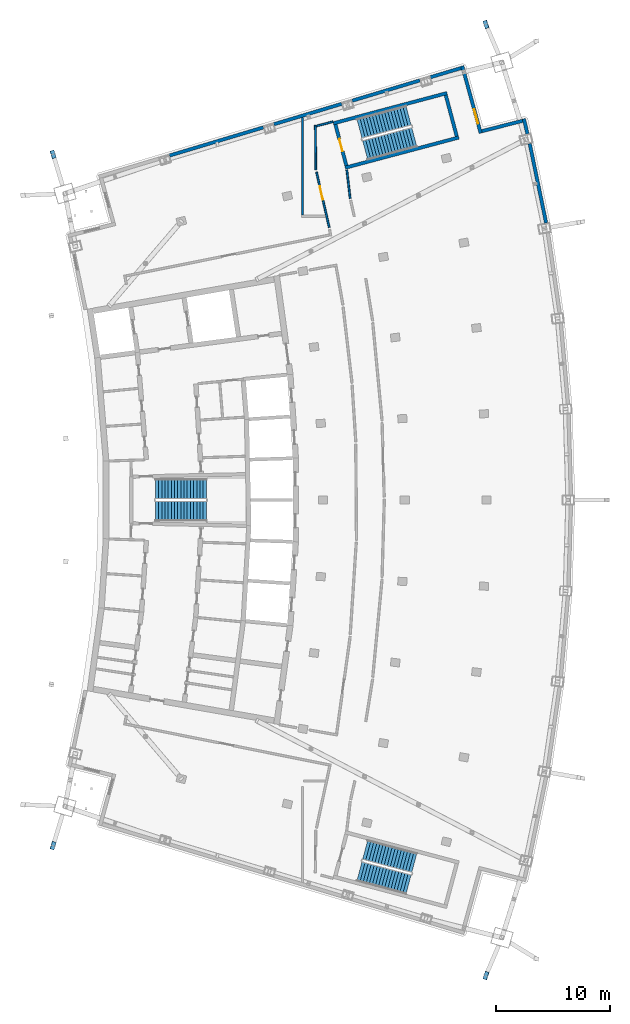
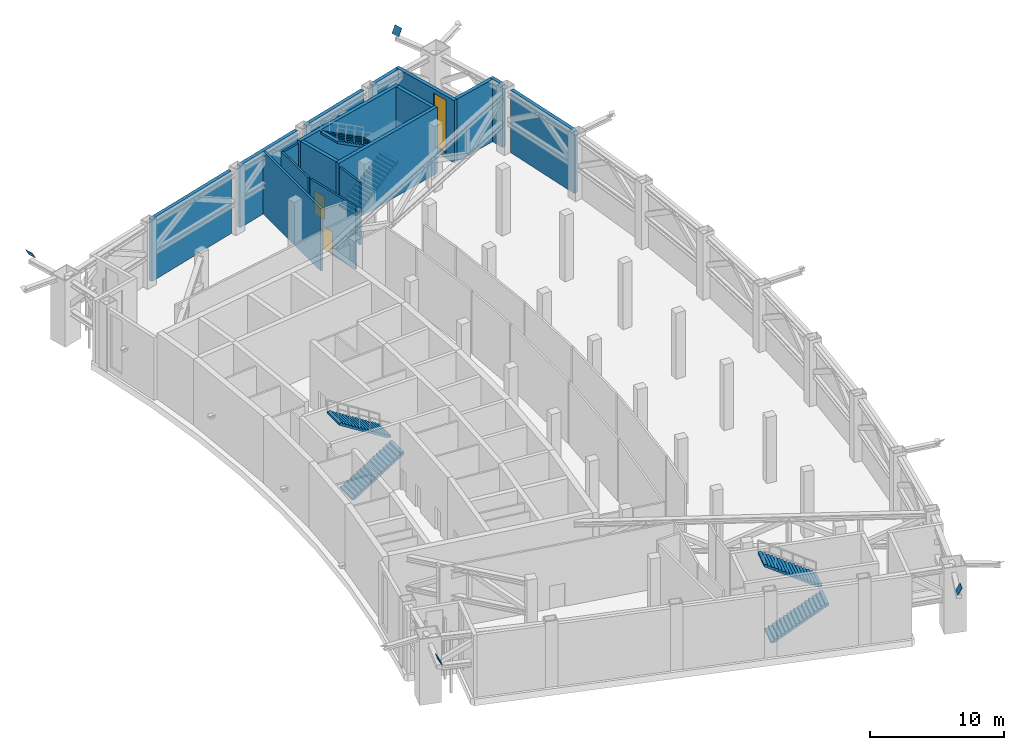
# One storey, part 17 of 23: 17 walls, 6 stair flights, 4 discrete accessories, 2 doors, 1 window, 3 openings, 3 elements without a shape of their own.
"""IFC4 building model written with IfcOpenShell, lengths in metres."""

from ifc_helpers import new_model, si_unit, direction, frame, frame_2d, origin, origin_2d, place, context, subcontext, project, spatial, polyline, rectangle, outline, extrude, material, layer, layer_set, material_profile, profile_set, type_object, element, fill, aggregate, save


model = new_model("IFC4")

# Units and contexts
model_context = context("Model", 3, precision=1e-05, world=origin(), true_north=direction((0.0, 1.0)))
body_context = subcontext(model_context, "Body", "Model", "MODEL_VIEW")
ifc_project = project(units=[si_unit("LENGTHUNIT", "METRE"), si_unit("AREAUNIT", "SQUARE_METRE"), si_unit("VOLUMEUNIT", "CUBIC_METRE"), si_unit("PLANEANGLEUNIT", "RADIAN"), si_unit("MASSUNIT", "GRAM", prefix="KILO")], contexts=[model_context])

# Site, building, storey
site_placement = place(None, origin())
site = spatial("IfcSite", under=ifc_project, at=site_placement, CompositionType="ELEMENT")
building_placement = place(site_placement, origin())
building = spatial("IfcBuilding", under=site, at=building_placement, Name="Alderwake Tower", CompositionType="ELEMENT")
storey_placement = place(building_placement, frame((0.0, 0.0, 239.60009765625)))
storey = spatial("IfcBuildingStorey", under=building, at=storey_placement, Name="L59", CompositionType="ELEMENT", Elevation=239.60009765625)

# Walls
ifc_material_1 = material(Name="Concrete C70/85", Category="concrete")
ifc_layer_1 = layer(ifc_material_1, 0.300048828125)
ifc_layer_set_1 = layer_set([ifc_layer_1], Name="Core wall stair enclosure 300 C70-85")
wall_type_1 = type_object("IfcWallType", Name="Core wall stair enclosure 300 C70-85", PredefinedType="SHEAR", material=ifc_layer_set_1)
for number, where, z_axis, x_axis, name in (
    (1, (36.71142578125, 94.182373046875, 0.0), (0.0, 0.0, 1.0), (0.966309214305, 0.257383958996, 0.0), "Core wall CW.082"),
    (2, (37.75390625, 90.268798828125, 0.0), (0.0, 0.0, 1.0), (0.966309214305, 0.257383958996, 0.0), "Core wall CW.084"),
):
    element("IfcWall", number, at=place(storey_placement, frame(where, z_axis=z_axis, x_axis=x_axis)), inside=storey, type_object=wall_type_1, Name=name, PredefinedType="SHEAR", context=body_context, shape_type="SweptSolid", body=[
        extrude(rectangle(XDim=10.360107421875, YDim=0.300048828125, at=frame_2d((5.18017578125, 0.0))), origin(), (0.0, 0.0, 1.0), 6.0),
    ])

# Wall, opening, door
wall_1_placement = place(storey_placement, frame((37.8603515625, 90.452392578125, 0.0), z_axis=(0.0, 0.0, 1.0), x_axis=(-0.257411420208, 0.966301899381, 0.0)))
wall_1 = element("IfcWall", 3, at=wall_1_placement, inside=storey, type_object=wall_type_1, Name="Core wall CW.083", PredefinedType="SHEAR", context=body_context, shape_type="SweptSolid", body=[
    extrude(rectangle(XDim=3.750244140625, YDim=0.300048828125, at=frame_2d((1.875, 0.0))), origin(), (0.0, 0.0, 1.0), 6.0),
])
opening_1_placement = place(wall_1_placement, frame((1.324951171875, 0.0, 0.0)))
opening_1 = element("IfcOpeningElement", 4, at=opening_1_placement, cuts=wall_1, Name="Opening C062", PredefinedType="OPENING", context=body_context, shape_type="SweptSolid", body=[
    extrude(rectangle(XDim=1.10009765625, YDim=2.10009765625, at=frame_2d((0.550048828125, 1.050048828125))), frame((0.0, 0.159912109375, 0.0), z_axis=(0.0, -1.0, 0.0), x_axis=(1.0, 0.0, 0.0)), (0.0, 0.0, 1.0), 0.320068359375),
])
ifc_material_2 = material(Name="Steel-framed fire door leaf", Category="steel")
door_type_1 = type_object("IfcDoorType", Name="Core stair door 1100 fire-rated", OperationType="SINGLE_SWING_LEFT", PredefinedType="DOOR", material=ifc_material_2)
door_1_placement = place(opening_1_placement, origin())
door_1 = element("IfcDoor", 5, at=door_1_placement, inside=storey, type_object=door_type_1, Name="Stair door", OperationType="SINGLE_SWING_RIGHT", OverallHeight=2.10009765625, OverallWidth=1.10009765625, PredefinedType="DOOR", context=body_context, shape_type="SweptSolid", body=[
    extrude(rectangle(XDim=1.10009765625, YDim=2.10009765625, at=frame_2d((0.550048828125, 1.050048828125))), frame((0.0, 0.02490234375, 0.0), z_axis=(0.0, -1.0, 0.0), x_axis=(1.0, 0.0, 0.0)), (0.0, 0.0, 1.0), 0.050048828125),
])
fill(opening_1, door_1)

# Walls
wall_2_placement = place(storey_placement, frame((47.581298828125, 93.041748046875, 0.0), z_axis=(0.0, 0.0, 1.0), x_axis=(-0.257366821694, 0.966313778796, 0.0)))
element("IfcWall", 6, at=wall_2_placement, inside=storey, type_object=wall_type_1, Name="Core wall CW.081", PredefinedType="SHEAR", context=body_context, shape_type="SweptSolid", body=[
    extrude(rectangle(XDim=3.749755859375, YDim=0.300048828125, at=frame_2d((1.875, 0.0))), origin(), (0.0, 0.0, 1.0), 6.0),
])
ifc_material_3 = material(Name="Gypsum board on metal studs, rated")
ifc_layer_2 = layer(ifc_material_3, 0.159912109375)
ifc_layer_set_2 = layer_set([ifc_layer_2], Name="Corridor wall 160")
wall_type_2 = type_object("IfcWallType", Name="Corridor wall 160", PredefinedType="PARTITIONING", material=ifc_layer_set_2)
wall_3_placement = place(storey_placement, frame((35.126220703125, 93.9951171875, 0.0), z_axis=(0.0, 0.0, 1.0), x_axis=(0.011141543085, -0.999937931083, 0.0)))
element("IfcWall", 7, at=wall_3_placement, inside=storey, type_object=wall_type_2, Name="WL/L59/W10", PredefinedType="PARTITIONING", context=body_context, shape_type="SweptSolid", body=[
    extrude(rectangle(XDim=3.92236328125, YDim=0.159912109375, at=frame_2d((1.961181640625, 0.0))), origin(), (0.0, 0.0, 1.0), 5.679931640625),
])

# Wall, opening, door
wall_4_placement = place(storey_placement, frame((35.228759765625, 89.89306640625, 0.0), z_axis=(0.0, 0.0, 1.0), x_axis=(0.223866874385, -0.974619732282, 0.0)))
wall_4 = element("IfcWall", 8, at=wall_4_placement, inside=storey, type_object=wall_type_2, Name="WL/L59/W12", PredefinedType="PARTITIONING", context=body_context, shape_type="SweptSolid", body=[
    extrude(rectangle(XDim=5.01220703125, YDim=0.159912109375, at=frame_2d((2.506103515625, 0.0))), origin(), (0.0, 0.0, 1.0), 5.679931640625),
])
opening_2_placement = place(wall_4_placement, frame((1.2841796875, 0.0, 0.0)))
opening_2 = element("IfcOpeningElement", 9, at=opening_2_placement, cuts=wall_4, Name="Opening L59-02", PredefinedType="OPENING", context=body_context, shape_type="SweptSolid", body=[
    extrude(rectangle(XDim=1.199951171875, YDim=2.10009765625, at=frame_2d((0.60009765625, 1.050048828125))), frame((0.0, 0.08984375, 0.0), z_axis=(0.0, -1.0, 0.0), x_axis=(1.0, 0.0, 0.0)), (0.0, 0.0, 1.0), 0.179931640625),
])
ifc_material_4 = material(Name="Steel door leaf in steel frame", Category="steel")
door_type_2 = type_object("IfcDoorType", Name="Plant room door 1200 steel", OperationType="SINGLE_SWING_LEFT", PredefinedType="DOOR", material=ifc_material_4)
door_2_placement = place(opening_2_placement, origin())
door_2 = element("IfcDoor", 10, at=door_2_placement, inside=storey, type_object=door_type_2, Name="DR/L59/02", OperationType="SINGLE_SWING_LEFT", OverallHeight=2.10009765625, OverallWidth=1.199951171875, PredefinedType="DOOR", context=body_context, shape_type="SweptSolid", body=[
    extrude(rectangle(XDim=1.199951171875, YDim=2.10009765625, at=frame_2d((0.60009765625, 1.050048828125))), frame((0.0, 0.02490234375, 0.0), z_axis=(0.0, -1.0, 0.0), x_axis=(1.0, 0.0, 0.0)), (0.0, 0.0, 1.0), 0.050048828125),
])
fill(opening_2, door_2)

# Walls
wall_5_placement = place(storey_placement, frame((36.672119140625, 94.325927734375, 0.0), z_axis=(0.0, 0.0, 1.0), x_axis=(-0.966416426581, -0.256981109101, 0.0)))
element("IfcWall", 11, at=wall_5_placement, inside=storey, type_object=wall_type_2, Name="WL/L59/W17", PredefinedType="PARTITIONING", context=body_context, shape_type="SweptSolid", body=[
    extrude(rectangle(XDim=1.516357421875, YDim=0.159912109375, at=frame_2d((0.75830078125, 0.0))), origin(), (0.0, 0.0, 1.0), 5.679931640625),
])
wall_6_placement = place(storey_placement, frame((38.193359375, 87.5625, 0.0), z_axis=(0.0, 0.0, 1.0), x_axis=(-0.116448424867, 0.99319674, 0.0)))
element("IfcWall", 12, at=wall_6_placement, inside=storey, type_object=wall_type_2, Name="WL/L59/W25", PredefinedType="PARTITIONING", context=body_context, shape_type="SweptSolid", body=[
    extrude(rectangle(XDim=2.524169921875, YDim=0.159912109375, at=frame_2d((1.26220703125, 0.0))), origin(), (0.0, 0.0, 1.0), 5.679931640625),
])
ifc_material_5 = material(Name="Bronze metal cladding on lightweight framing")
ifc_layer_3 = layer(ifc_material_5, 0.300048828125)
ifc_layer_set_3 = layer_set([ifc_layer_3], Name="External wall EW3 plant enclosure")
wall_type_3 = type_object("IfcWallType", Name="External wall EW3 plant enclosure", PredefinedType="SOLIDWALL", material=ifc_layer_set_3)
wall_7_placement = place(storey_placement, frame((55.456787109375, 85.404052734375, 0.0), z_axis=(0.0, 0.0, 1.0), x_axis=(-0.202739139566, 0.979232781972, 0.0)))
element("IfcWall", 13, at=wall_7_placement, inside=storey, type_object=wall_type_3, Name="External wall 19", PredefinedType="SOLIDWALL", context=body_context, shape_type="SweptSolid", body=[
    extrude(rectangle(XDim=7.1337890625, YDim=0.300048828125, at=frame_2d((3.56689453125, 0.0))), origin(), (0.0, 0.0, 1.0), 5.679931640625),
])
wall_8_placement = place(storey_placement, frame((53.817138671875, 93.24609375, 0.0), z_axis=(0.0, 0.0, 1.0), x_axis=(-0.238360405039, 0.971176769342, 0.0)))
element("IfcWall", 14, at=wall_8_placement, inside=storey, type_object=wall_type_3, Name="External wall 20", PredefinedType="SOLIDWALL", context=body_context, shape_type="SweptSolid", body=[
    extrude(rectangle(XDim=1.376708984375, YDim=0.300048828125, at=frame_2d((0.6884765625, 0.0))), origin(), (0.0, 0.0, 1.0), 5.679931640625),
])
wall_9_placement = place(storey_placement, frame((53.37939453125, 94.400390625, 0.0), z_axis=(0.0, 0.0, 1.0), x_axis=(-0.969426922046, -0.245380200529, 0.0)))
element("IfcWall", 15, at=wall_9_placement, inside=storey, type_object=wall_type_3, Name="External wall 21", PredefinedType="SOLIDWALL", context=body_context, shape_type="SweptSolid", body=[
    extrude(rectangle(XDim=3.6943359375, YDim=0.300048828125, at=frame_2d((1.84716796875, 0.0))), origin(), (0.0, 0.0, 1.0), 5.679931640625),
])

# Wall, opening, window
wall_10_placement = place(storey_placement, frame((49.6923828125, 93.3125, 0.0), z_axis=(0.0, 0.0, 1.0), x_axis=(-0.265086321633, 0.96422468444, 0.0)))
wall_10 = element("IfcWall", 16, at=wall_10_placement, inside=storey, type_object=wall_type_3, Name="External wall 22", PredefinedType="SOLIDWALL", context=body_context, shape_type="SweptSolid", body=[
    extrude(rectangle(XDim=6.146728515625, YDim=0.300048828125, at=frame_2d((3.0732421875, 0.0))), origin(), (0.0, 0.0, 1.0), 5.679931640625),
])
opening_3_placement = place(wall_10_placement, frame((0.88671875, 0.0, 0.5)))
opening_3 = element("IfcOpeningElement", 17, at=opening_3_placement, cuts=wall_10, Name="Opening LV1", PredefinedType="OPENING", context=body_context, shape_type="SweptSolid", body=[
    extrude(rectangle(XDim=1.300048828125, YDim=4.800048828125, at=frame_2d((0.64990234375, 2.39990234375))), frame((0.0, 0.159912109375, 0.0), z_axis=(0.0, -1.0, 0.0), x_axis=(1.0, 0.0, 0.0)), (0.0, 0.0, 1.0), 0.320068359375),
])
ifc_material_6 = material(Name="Bronze anodised aluminium louvre", Category="aluminium")
window_type = type_object("IfcWindowType", Name="Louvre LV1 plant floor", PartitioningType="SINGLE_PANEL", PredefinedType="USERDEFINED", material=ifc_material_6)
window_placement = place(opening_3_placement, origin())
window = element("IfcWindow", 18, at=window_placement, inside=storey, type_object=window_type, Name="Louvre LV1 plant floor", ObjectType="LOUVRE", OverallHeight=4.800048828125, OverallWidth=1.300048828125, PartitioningType="SINGLE_PANEL", PredefinedType="USERDEFINED", context=body_context, shape_type="SweptSolid", body=[
    extrude(rectangle(XDim=1.300048828125, YDim=4.800048828125, at=frame_2d((0.64990234375, 2.39990234375))), frame((0.0, 0.030029296875, 0.0), z_axis=(0.0, -1.0, 0.0), x_axis=(1.0, 0.0, 0.0)), (0.0, 0.0, 1.0), 0.06005859375),
])
fill(opening_3, window)

# Walls
wall_11_placement = place(storey_placement, frame((47.959228515625, 99.051513671875, 0.0), z_axis=(0.0, 0.0, 1.0), x_axis=(-0.957764339178, -0.287554291569, 0.0)))
element("IfcWall", 19, at=wall_11_placement, inside=storey, type_object=wall_type_3, Name="External wall 23", PredefinedType="SOLIDWALL", context=body_context, shape_type="SweptSolid", body=[
    extrude(rectangle(XDim=2.8212890625, YDim=0.300048828125, at=frame_2d((1.41064453125, 0.0))), origin(), (0.0, 0.0, 1.0), 5.679931640625),
])
for number, where, z_axis, x_axis, name in (
    (20, (44.34375, 97.966064453125, 0.0), (0.0, 0.0, 1.0), (-0.95776710022, -0.287545095136, 0.0), "External wall 24"),
    (21, (37.44775390625, 95.895751953125, 0.0), (0.0, 0.0, 1.0), (-0.95776710022, -0.287545095136, 0.0), "External wall 25"),
):
    element("IfcWall", number, at=place(storey_placement, frame(where, z_axis=z_axis, x_axis=x_axis)), inside=storey, type_object=wall_type_3, Name=name, PredefinedType="SOLIDWALL", context=body_context, shape_type="SweptSolid", body=[
        extrude(rectangle(XDim=6.24658203125, YDim=0.300048828125, at=frame_2d((3.123291015625, 0.0))), origin(), (0.0, 0.0, 1.0), 5.679931640625),
    ])
wall_12_placement = place(storey_placement, frame((30.551513671875, 93.8251953125, 0.0), z_axis=(0.0, 0.0, 1.0), x_axis=(-0.957767198916, -0.287544766394, 0.0)))
element("IfcWall", 22, at=wall_12_placement, inside=storey, type_object=wall_type_3, Name="External wall 26", PredefinedType="SOLIDWALL", context=body_context, shape_type="SweptSolid", body=[
    extrude(rectangle(XDim=8.64599609375, YDim=0.300048828125, at=frame_2d((4.322998046875, 0.0))), origin(), (0.0, 0.0, 1.0), 5.679931640625),
])
ifc_material_7 = material(Name="Dense block masonry wall", Category="masonry")
ifc_layer_4 = layer(ifc_material_7, 0.199951171875)
ifc_layer_set_4 = layer_set([ifc_layer_4], Name="Party wall 200")
wall_type_4 = type_object("IfcWallType", Name="Party wall 200", PredefinedType="SOLIDWALL", material=ifc_layer_set_4)
wall_13_placement = place(storey_placement, frame((33.9990234375, 94.68408203125, 0.0), z_axis=(0.0, 0.0, 1.0), x_axis=(0.0, -1.0, 0.0)))
element("IfcWall", 23, at=wall_13_placement, inside=storey, type_object=wall_type_4, Name="WL/L59/W03", PredefinedType="SOLIDWALL", context=body_context, shape_type="SweptSolid", body=[
    extrude(rectangle(XDim=8.5830078125, YDim=0.199951171875, at=frame_2d((4.29150390625, 0.0))), origin(), (0.0, 0.0, 1.0), 5.679931640625),
])

# Stair, stair flights
ifc_material_8 = material(Name="Concrete C40/50", Category="concrete")
stair_type = type_object("IfcStairType", Name="Core exit stair", PredefinedType="HALF_TURN_STAIR", material=ifc_material_8)
stair_1_placement = place(storey_placement, origin())
stair_1 = element("IfcStair", 24, at=stair_1_placement, inside=storey, type_object=stair_type, Name="L59 Exit Stair B", PredefinedType="HALF_TURN_STAIR")
ifc_material_9 = material(Name="Concrete C40/50", Category="concrete")
ifc_layer_5 = layer(ifc_material_9, 0.14990234375)
ifc_layer_set_5 = layer_set([ifc_layer_5], Name="Core stair flight")
stair_flight_type = type_object("IfcStairFlightType", Name="Core stair flight", PredefinedType="STRAIGHT", material=ifc_layer_set_5)
stair_flight_1_placement = place(storey_placement, frame((21.0400390625, 60.02490234375, 0.0), z_axis=(0.0, 0.0, 1.0), x_axis=(1.0, 0.0, 0.0)))
stair_flight_1 = element("IfcStairFlight", 25, at=stair_flight_1_placement, type_object=stair_flight_type, Name="ST-B flight 1", NumberOfRisers=17, NumberOfTreads=16, PredefinedType="STRAIGHT", RiserHeight=0.176470588, TreadLength=0.28, context=body_context, shape_type="SweptSolid", body=[
    extrude(outline(polyline([(0.0, 0.0), (0.0, 0.176513671875), (0.280029296875, 0.176513671875), (0.280029296875, 0.35302734375), (0.56005859375, 0.35302734375), (0.56005859375, 0.529296875), (0.840087890625, 0.529296875), (0.840087890625, 0.705810546875), (1.1201171875, 0.705810546875), (1.1201171875, 0.88232421875), (1.39990234375, 0.88232421875), (1.39990234375, 1.058837890625), (1.679931640625, 1.058837890625), (1.679931640625, 1.2353515625), (1.9599609375, 1.2353515625), (1.9599609375, 1.411865234375), (2.239990234375, 1.411865234375), (2.239990234375, 1.588134765625), (2.52001953125, 1.588134765625), (2.52001953125, 1.7646484375), (2.800048828125, 1.7646484375), (2.800048828125, 1.941162109375), (3.080078125, 1.941162109375), (3.080078125, 2.11767578125), (3.360107421875, 2.11767578125), (3.360107421875, 2.294189453125), (3.639892578125, 2.294189453125), (3.639892578125, 2.470703125), (3.919921875, 2.470703125), (3.919921875, 2.64697265625), (4.199951171875, 2.64697265625), (4.199951171875, 2.823486328125), (4.47998046875, 2.823486328125), (4.47998046875, 3.0), (4.47998046875, 2.646240234375), (0.28125, 0.0), (0.0, 0.0)])), frame((0.0, 0.89990234375, 0.0), z_axis=(0.0, -1.0, 0.0), x_axis=(1.0, 0.0, 0.0)), (0.0, 0.0, 1.0), 1.800048828125),
])
stair_flight_2_placement = place(storey_placement, frame((25.52001953125, 61.97509765625, 3.0), z_axis=(0.0, 0.0, 1.0), x_axis=(-1.0, 0.0, 0.0)))
stair_flight_2 = element("IfcStairFlight", 26, at=stair_flight_2_placement, type_object=stair_flight_type, Name="ST-B flight 2", NumberOfRisers=17, NumberOfTreads=16, PredefinedType="STRAIGHT", RiserHeight=0.176470588, TreadLength=0.28, context=body_context, shape_type="SweptSolid", body=[
    extrude(outline(polyline([(0.0, 0.0), (0.0, 0.176513671875), (0.280029296875, 0.176513671875), (0.280029296875, 0.35302734375), (0.56005859375, 0.35302734375), (0.56005859375, 0.529296875), (0.840087890625, 0.529296875), (0.840087890625, 0.705810546875), (1.1201171875, 0.705810546875), (1.1201171875, 0.88232421875), (1.39990234375, 0.88232421875), (1.39990234375, 1.058837890625), (1.679931640625, 1.058837890625), (1.679931640625, 1.2353515625), (1.9599609375, 1.2353515625), (1.9599609375, 1.411865234375), (2.239990234375, 1.411865234375), (2.239990234375, 1.588134765625), (2.52001953125, 1.588134765625), (2.52001953125, 1.7646484375), (2.800048828125, 1.7646484375), (2.800048828125, 1.941162109375), (3.080078125, 1.941162109375), (3.080078125, 2.11767578125), (3.360107421875, 2.11767578125), (3.360107421875, 2.294189453125), (3.639892578125, 2.294189453125), (3.639892578125, 2.470703125), (3.919921875, 2.470703125), (3.919921875, 2.64697265625), (4.199951171875, 2.64697265625), (4.199951171875, 2.823486328125), (4.47998046875, 2.823486328125), (4.47998046875, 3.0), (4.47998046875, 2.646240234375), (0.28125, 0.0), (0.0, 0.0)])), frame((0.0, 0.89990234375, 0.0), z_axis=(0.0, -1.0, 0.0), x_axis=(1.0, 0.0, 0.0)), (0.0, 0.0, 1.0), 1.800048828125),
])
aggregate(stair_1, [stair_flight_1, stair_flight_2])

stair_2_placement = place(storey_placement, origin())
stair_2 = element("IfcStair", 27, at=stair_2_placement, inside=storey, type_object=stair_type, Name="L59 Exit Stair A", PredefinedType="HALF_TURN_STAIR")
stair_flight_3_placement = place(storey_placement, frame((39.512939453125, 91.823974609375, 0.0), z_axis=(0.0, 0.0, 1.0), x_axis=(0.966309627437, 0.257382407951, 0.0)))
stair_flight_3 = element("IfcStairFlight", 28, at=stair_flight_3_placement, type_object=stair_flight_type, Name="ST-A flight 1", NumberOfRisers=17, NumberOfTreads=16, PredefinedType="STRAIGHT", RiserHeight=0.176470588, TreadLength=0.28, context=body_context, shape_type="SweptSolid", body=[
    extrude(outline(polyline([(0.0, 0.0), (0.0, 0.176513671875), (0.280029296875, 0.176513671875), (0.280029296875, 0.35302734375), (0.56005859375, 0.35302734375), (0.56005859375, 0.529296875), (0.840087890625, 0.529296875), (0.840087890625, 0.705810546875), (1.1201171875, 0.705810546875), (1.1201171875, 0.88232421875), (1.39990234375, 0.88232421875), (1.39990234375, 1.058837890625), (1.679931640625, 1.058837890625), (1.679931640625, 1.2353515625), (1.9599609375, 1.2353515625), (1.9599609375, 1.411865234375), (2.239990234375, 1.411865234375), (2.239990234375, 1.588134765625), (2.52001953125, 1.588134765625), (2.52001953125, 1.7646484375), (2.800048828125, 1.7646484375), (2.800048828125, 1.941162109375), (3.080078125, 1.941162109375), (3.080078125, 2.11767578125), (3.360107421875, 2.11767578125), (3.360107421875, 2.294189453125), (3.639892578125, 2.294189453125), (3.639892578125, 2.470703125), (3.919921875, 2.470703125), (3.919921875, 2.64697265625), (4.199951171875, 2.64697265625), (4.199951171875, 2.823486328125), (4.47998046875, 2.823486328125), (4.47998046875, 3.0), (4.47998046875, 2.646240234375), (0.28125, 0.0), (0.0, 0.0)])), frame((0.0, 0.89990234375, 0.0), z_axis=(0.0, -1.0, 0.0), x_axis=(1.0, 0.0, 0.0)), (0.0, 0.0, 1.0), 1.800048828125),
])
stair_flight_4_placement = place(storey_placement, frame((43.340087890625, 94.861328125, 3.0), z_axis=(0.0, 0.0, 1.0), x_axis=(-0.966309627437, -0.257382407951, 0.0)))
stair_flight_4 = element("IfcStairFlight", 29, at=stair_flight_4_placement, type_object=stair_flight_type, Name="ST-A flight 2", NumberOfRisers=17, NumberOfTreads=16, PredefinedType="STRAIGHT", RiserHeight=0.176470588, TreadLength=0.28, context=body_context, shape_type="SweptSolid", body=[
    extrude(outline(polyline([(0.0, 0.0), (0.0, 0.176513671875), (0.280029296875, 0.176513671875), (0.280029296875, 0.35302734375), (0.56005859375, 0.35302734375), (0.56005859375, 0.529296875), (0.840087890625, 0.529296875), (0.840087890625, 0.705810546875), (1.1201171875, 0.705810546875), (1.1201171875, 0.88232421875), (1.39990234375, 0.88232421875), (1.39990234375, 1.058837890625), (1.679931640625, 1.058837890625), (1.679931640625, 1.2353515625), (1.9599609375, 1.2353515625), (1.9599609375, 1.411865234375), (2.239990234375, 1.411865234375), (2.239990234375, 1.588134765625), (2.52001953125, 1.588134765625), (2.52001953125, 1.7646484375), (2.800048828125, 1.7646484375), (2.800048828125, 1.941162109375), (3.080078125, 1.941162109375), (3.080078125, 2.11767578125), (3.360107421875, 2.11767578125), (3.360107421875, 2.294189453125), (3.639892578125, 2.294189453125), (3.639892578125, 2.470703125), (3.919921875, 2.470703125), (3.919921875, 2.64697265625), (4.199951171875, 2.64697265625), (4.199951171875, 2.823486328125), (4.47998046875, 2.823486328125), (4.47998046875, 3.0), (4.47998046875, 2.646240234375), (0.28125, 0.0), (0.0, 0.0)])), frame((0.0, 0.89990234375, 0.0), z_axis=(0.0, -1.0, 0.0), x_axis=(1.0, 0.0, 0.0)), (0.0, 0.0, 1.0), 1.800048828125),
])
aggregate(stair_2, [stair_flight_3, stair_flight_4])

stair_3_placement = place(storey_placement, origin())
stair_3 = element("IfcStair", 30, at=stair_3_placement, inside=storey, type_object=stair_type, Name="L59 Exit Stair C", PredefinedType="HALF_TURN_STAIR")
stair_flight_5_placement = place(storey_placement, frame((39.010986328125, 28.291748046875, 0.0), z_axis=(0.0, 0.0, 1.0), x_axis=(0.966309627437, -0.257382407951, 0.0)))
stair_flight_5 = element("IfcStairFlight", 31, at=stair_flight_5_placement, type_object=stair_flight_type, Name="ST-C flight 1", NumberOfRisers=17, NumberOfTreads=16, PredefinedType="STRAIGHT", RiserHeight=0.176470588, TreadLength=0.28, context=body_context, shape_type="SweptSolid", body=[
    extrude(outline(polyline([(0.0, 0.0), (0.0, 0.176513671875), (0.280029296875, 0.176513671875), (0.280029296875, 0.35302734375), (0.56005859375, 0.35302734375), (0.56005859375, 0.529296875), (0.840087890625, 0.529296875), (0.840087890625, 0.705810546875), (1.1201171875, 0.705810546875), (1.1201171875, 0.88232421875), (1.39990234375, 0.88232421875), (1.39990234375, 1.058837890625), (1.679931640625, 1.058837890625), (1.679931640625, 1.2353515625), (1.9599609375, 1.2353515625), (1.9599609375, 1.411865234375), (2.239990234375, 1.411865234375), (2.239990234375, 1.588134765625), (2.52001953125, 1.588134765625), (2.52001953125, 1.7646484375), (2.800048828125, 1.7646484375), (2.800048828125, 1.941162109375), (3.080078125, 1.941162109375), (3.080078125, 2.11767578125), (3.360107421875, 2.11767578125), (3.360107421875, 2.294189453125), (3.639892578125, 2.294189453125), (3.639892578125, 2.470703125), (3.919921875, 2.470703125), (3.919921875, 2.64697265625), (4.199951171875, 2.64697265625), (4.199951171875, 2.823486328125), (4.47998046875, 2.823486328125), (4.47998046875, 3.0), (4.47998046875, 2.646240234375), (0.28125, 0.0), (0.0, 0.0)])), frame((0.0, 0.89990234375, 0.0), z_axis=(0.0, -1.0, 0.0), x_axis=(1.0, 0.0, 0.0)), (0.0, 0.0, 1.0), 1.800048828125),
])
stair_flight_6_placement = place(storey_placement, frame((43.842041015625, 29.02294921875, 3.0), z_axis=(0.0, 0.0, 1.0), x_axis=(-0.966309627437, 0.257382407951, 0.0)))
stair_flight_6 = element("IfcStairFlight", 32, at=stair_flight_6_placement, type_object=stair_flight_type, Name="ST-C flight 2", NumberOfRisers=17, NumberOfTreads=16, PredefinedType="STRAIGHT", RiserHeight=0.176470588, TreadLength=0.28, context=body_context, shape_type="SweptSolid", body=[
    extrude(outline(polyline([(0.0, 0.0), (0.0, 0.176513671875), (0.280029296875, 0.176513671875), (0.280029296875, 0.35302734375), (0.56005859375, 0.35302734375), (0.56005859375, 0.529296875), (0.840087890625, 0.529296875), (0.840087890625, 0.705810546875), (1.1201171875, 0.705810546875), (1.1201171875, 0.88232421875), (1.39990234375, 0.88232421875), (1.39990234375, 1.058837890625), (1.679931640625, 1.058837890625), (1.679931640625, 1.2353515625), (1.9599609375, 1.2353515625), (1.9599609375, 1.411865234375), (2.239990234375, 1.411865234375), (2.239990234375, 1.588134765625), (2.52001953125, 1.588134765625), (2.52001953125, 1.7646484375), (2.800048828125, 1.7646484375), (2.800048828125, 1.941162109375), (3.080078125, 1.941162109375), (3.080078125, 2.11767578125), (3.360107421875, 2.11767578125), (3.360107421875, 2.294189453125), (3.639892578125, 2.294189453125), (3.639892578125, 2.470703125), (3.919921875, 2.470703125), (3.919921875, 2.64697265625), (4.199951171875, 2.64697265625), (4.199951171875, 2.823486328125), (4.47998046875, 2.823486328125), (4.47998046875, 3.0), (4.47998046875, 2.646240234375), (0.28125, 0.0), (0.0, 0.0)])), frame((0.0, 0.89990234375, 0.0), z_axis=(0.0, -1.0, 0.0), x_axis=(1.0, 0.0, 0.0)), (0.0, 0.0, 1.0), 1.800048828125),
])
aggregate(stair_3, [stair_flight_5, stair_flight_6])

# Discrete accessories
ifc_material_10 = material(Name="Steel ASTM A572 Grade 50", Category="steel")
ifc_material_profile = material_profile(ifc_material_10, rectangle(XDim=0.699951171875, YDim=0.699951171875, at=origin_2d()), Name="BOX 700X700X45 cap")
ifc_profile_set = profile_set([ifc_material_profile], Name="Steel ASTM A572 Grade 50")
discrete_accessory_type = type_object("IfcDiscreteAccessoryType", Name="End cap plate BOX 700X700X45", PredefinedType="USERDEFINED", material=ifc_profile_set)
discrete_accessory_1_placement = place(storey_placement, frame((12.031005859375, 30.550537109375, 6.0), z_axis=(-0.833799847145, 0.253409757466, -0.49047049832), x_axis=(-0.290788330333, -0.956787409482, 0.0)))
element("IfcDiscreteAccessory", 33, at=discrete_accessory_1_placement, inside=storey, type_object=discrete_accessory_type, Name="End cap BRS5.1.0A S", ObjectType="END CAP", PredefinedType="USERDEFINED", context=body_context, shape_type="SweptSolid", body=[
    extrude(rectangle(XDim=0.699951171875, YDim=0.699951171875, at=origin_2d()), origin(), (0.0, 0.0, 1.0), 0.02978515625),
])
discrete_accessory_2_placement = place(storey_placement, frame((50.150146484375, 19.106201171875, 6.0), z_axis=(0.840213747238, -0.258527306843, -0.476659721991), x_axis=(0.294085848838, 0.955779008722, 0.0)))
element("IfcDiscreteAccessory", 34, at=discrete_accessory_2_placement, inside=storey, type_object=discrete_accessory_type, Name="End cap BRS5.1.0B1 S", ObjectType="END CAP", PredefinedType="USERDEFINED", context=body_context, shape_type="SweptSolid", body=[
    extrude(rectangle(XDim=0.699951171875, YDim=0.699951171875, at=origin_2d()), origin(), (0.0, 0.0, 1.0), 0.0302734375),
])
discrete_accessory_3_placement = place(storey_placement, frame((12.031005859375, 91.449462890625, 6.0), z_axis=(-0.833799847145, -0.253409757466, -0.49047049832), x_axis=(0.290788330333, -0.956787409482, 0.0)))
element("IfcDiscreteAccessory", 35, at=discrete_accessory_3_placement, inside=storey, type_object=discrete_accessory_type, Name="End cap BRN5.1.0A S", ObjectType="END CAP", PredefinedType="USERDEFINED", context=body_context, shape_type="SweptSolid", body=[
    extrude(rectangle(XDim=0.699951171875, YDim=0.699951171875, at=origin_2d()), origin(), (0.0, 0.0, 1.0), 0.02978515625),
])
discrete_accessory_4_placement = place(storey_placement, frame((50.150146484375, 102.893798828125, 6.0), z_axis=(0.840213747238, 0.258527306843, -0.476659721991), x_axis=(-0.294085848838, 0.955779008722, 0.0)))
element("IfcDiscreteAccessory", 36, at=discrete_accessory_4_placement, inside=storey, type_object=discrete_accessory_type, Name="End cap BRN5.1.0B1 S", ObjectType="END CAP", PredefinedType="USERDEFINED", context=body_context, shape_type="SweptSolid", body=[
    extrude(rectangle(XDim=0.699951171875, YDim=0.699951171875, at=origin_2d()), origin(), (0.0, 0.0, 1.0), 0.0302734375),
])

save(model, "model.ifc")
